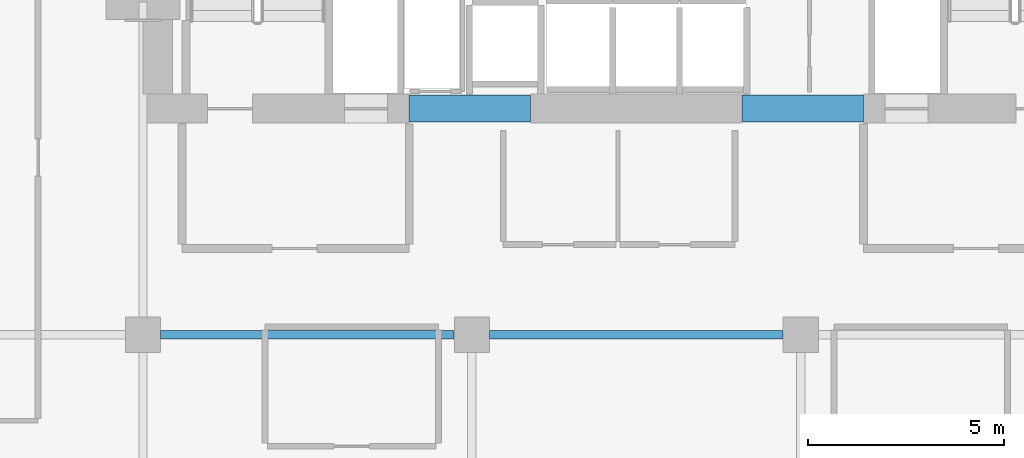
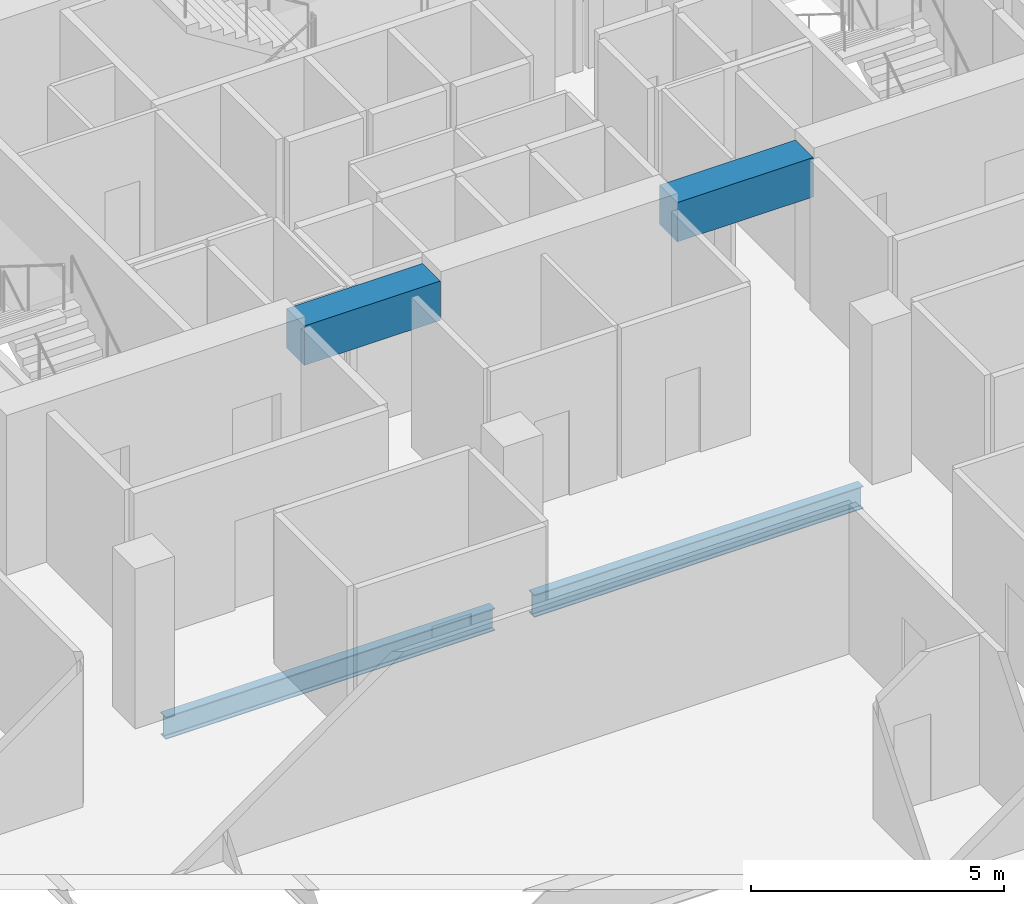
# One storey, part 21 of 33: 4 beams.
"""IFC4 building model written with IfcOpenShell, lengths in metres."""

from ifc_helpers import new_model, si_unit, direction, frame, origin, origin_2d, place, context, subcontext, project, spatial, rectangle, i_section, extrude, material, material_profile, profile_set, type_object, element, save


model = new_model("IFC4")

# Units and contexts
model_context = context("Model", 3, precision=1e-05, world=origin(), true_north=direction((0.0, 1.0)))
body_context = subcontext(model_context, "Body", "Model", "MODEL_VIEW")
ifc_project = project(units=[si_unit("LENGTHUNIT", "METRE"), si_unit("AREAUNIT", "SQUARE_METRE"), si_unit("VOLUMEUNIT", "CUBIC_METRE"), si_unit("PLANEANGLEUNIT", "RADIAN"), si_unit("MASSUNIT", "GRAM", prefix="KILO")], contexts=[model_context])

# Site, building, storey
site_placement = place(None, origin())
site = spatial("IfcSite", under=ifc_project, at=site_placement, CompositionType="ELEMENT")
building_placement = place(site_placement, origin())
building = spatial("IfcBuilding", under=site, at=building_placement, Name="Maruvema Waterfront Hotel and Observation Tower", CompositionType="ELEMENT")
storey_placement = place(building_placement, frame((0.0, 0.0, 204.39990234375)))
storey = spatial("IfcBuildingStorey", under=building, at=storey_placement, Name="L50", CompositionType="ELEMENT", Elevation=204.39990234375)

# Beams
ifc_material_1 = material(Name="Concrete C60/75", Category="concrete")
ifc_material_profile_1 = material_profile(ifc_material_1, rectangle(XDim=0.699951171875, YDim=0.949951171875, at=origin_2d()), Name="CB700x950")
ifc_profile_set_1 = profile_set([ifc_material_profile_1], Name="Concrete C60/75")
beam_type_1 = type_object("IfcBeamType", Name="Core Coupling Lintel Beam CB700x950", PredefinedType="LINTEL", material=ifc_profile_set_1)
for number, where, z_axis, x_axis, name in (
    (1, (32.0, 41.77490234375, 3.135009765625), (1.0, 0.0, 0.0), (0.0, 1.0, 0.0), "L50 Core Coupling Lintel Beam West"),
    (2, (40.5, 41.77490234375, 3.135009765625), (1.0, 0.0, 0.0), (0.0, 1.0, 0.0), "L50 Core Coupling Lintel Beam East"),
):
    element("IfcBeam", number, at=place(storey_placement, frame(where, z_axis=z_axis, x_axis=x_axis)), inside=storey, type_object=beam_type_1, Name=name, PredefinedType="LINTEL", context=body_context, shape_type="SweptSolid", body=[
        extrude(rectangle(XDim=0.699951171875, YDim=0.949951171875, at=origin_2d()), origin(), (0.0, 0.0, 1.0), 3.10009765625),
    ])
ifc_material_2 = material(Name="Steel ASTM A572 Grade 50", Category="steel")
ifc_material_profile_2 = material_profile(ifc_material_2, i_section(OverallWidth=0.2109375, OverallDepth=0.5390625, WebThickness=0.01171875, FlangeThickness=0.018798828125, FilletRadius=0.014892578125, at=origin_2d()), Name="W530x109.0")
ifc_profile_set_2 = profile_set([ifc_material_profile_2], Name="Steel ASTM A572 Grade 50")
beam_type_2 = type_object("IfcBeamType", Name="Primary Floor Girder W530x109.0", PredefinedType="BEAM", material=ifc_profile_set_2)
for number, where, z_axis, x_axis, name in (
    (3, (25.64990234375, 36.0, -0.509521484375), (1.0, 0.0, 0.0), (0.0, 1.0, 0.0), "L50 Floor Girder EW-25"),
    (4, (34.050048828125, 36.0, -0.509521484375), (1.0, 0.0, 0.0), (0.0, 1.0, 0.0), "L50 Floor Girder EW-26"),
):
    element("IfcBeam", number, at=place(storey_placement, frame(where, z_axis=z_axis, x_axis=x_axis)), inside=storey, type_object=beam_type_2, Name=name, PredefinedType="BEAM", context=body_context, shape_type="SweptSolid", body=[
        extrude(i_section(OverallWidth=0.2109375, OverallDepth=0.5390625, WebThickness=0.01171875, FlangeThickness=0.018798828125, FilletRadius=0.014892578125, at=origin_2d()), origin(), (0.0, 0.0, 1.0), 7.5),
    ])

save(model, "model.ifc")
